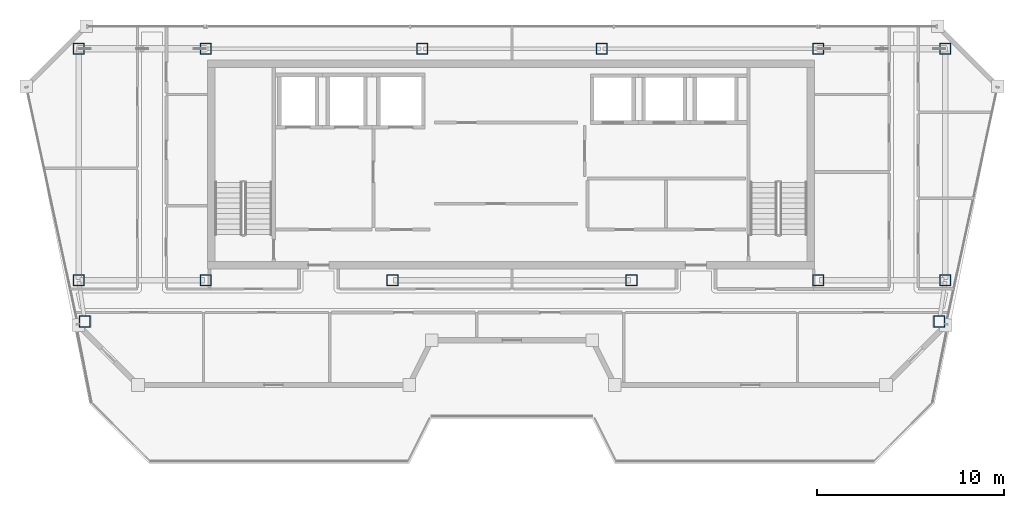
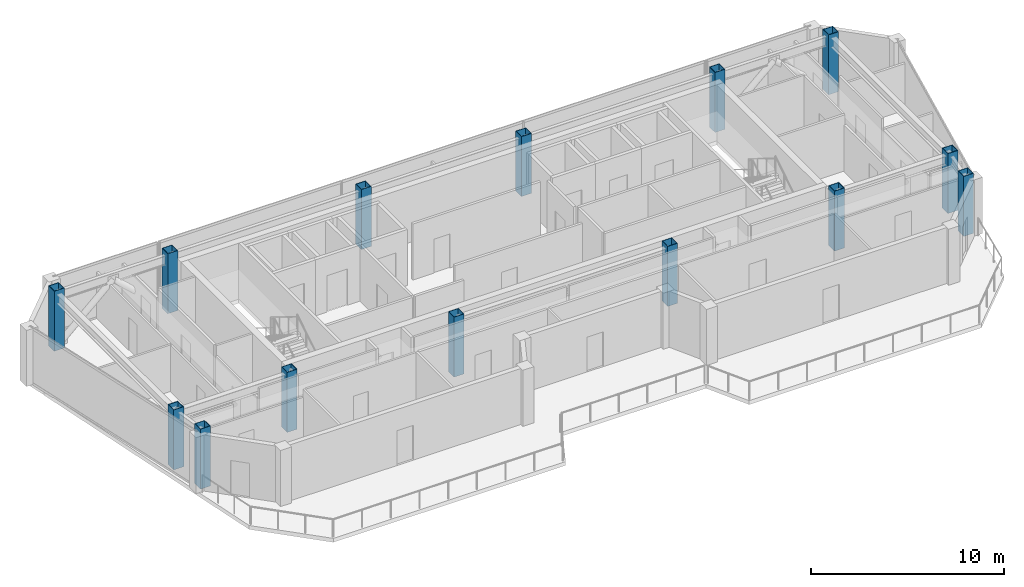
# One storey, part 1 of 17: 14 columns.
"""IFC4 building model written with IfcOpenShell, lengths in metres."""

from ifc_helpers import new_model, si_unit, direction, frame, origin, origin_2d, place, context, subcontext, project, spatial, hollow_rectangle, extrude, material, material_profile, profile_set, type_object, element, save


model = new_model("IFC4")

# Units and contexts
model_context = context("Model", 3, precision=1e-05, world=origin(), true_north=direction((0.0, 1.0)))
body_context = subcontext(model_context, "Body", "Model", "MODEL_VIEW")
ifc_project = project(units=[si_unit("LENGTHUNIT", "METRE"), si_unit("AREAUNIT", "SQUARE_METRE"), si_unit("VOLUMEUNIT", "CUBIC_METRE"), si_unit("PLANEANGLEUNIT", "RADIAN"), si_unit("MASSUNIT", "GRAM", prefix="KILO")], contexts=[model_context])

# Site, building, storey
site_placement = place(None, origin())
site = spatial("IfcSite", under=ifc_project, at=site_placement, CompositionType="ELEMENT")
building_placement = place(site_placement, origin())
building = spatial("IfcBuilding", under=site, at=building_placement, Name="Saevonmaru Cultural Tower", CompositionType="ELEMENT")
storey_placement = place(building_placement, frame((0.0, 0.0, 310.39990234375)))
storey = spatial("IfcBuildingStorey", under=building, at=storey_placement, Name="L74", CompositionType="ELEMENT", Elevation=310.39990234375)

# Columns
ifc_material = material(Name="Steel SM355", Category="steel")
ifc_material_profile = material_profile(ifc_material, hollow_rectangle(XDim=0.60009765625, YDim=0.60009765625, WallThickness=0.028076171875, at=origin_2d()), Name="BOX-600x600x28")
ifc_profile_set = profile_set([ifc_material_profile], Name="Steel SM355")
column_type = type_object("IfcColumnType", Name="COL-BOX-600", PredefinedType="COLUMN", material=ifc_profile_set)
for number, where, z_axis, x_axis, name in (
    (1, (6.800048828125, 54.800048828125, 0.0), (0.0, 0.0, 1.0), (1.0, 0.0, 0.0), "L74 Column TC-N1N"),
    (2, (13.60009765625, 54.800048828125, 0.0), (0.0, 0.0, 1.0), (1.0, 0.0, 0.0), "L74 Column TC-N2N"),
    (3, (25.199951171875, 54.800048828125, 0.0), (0.0, 0.0, 1.0), (1.0, 0.0, 0.0), "L74 Column TC-N3N"),
    (4, (34.800048828125, 54.800048828125, 0.0), (0.0, 0.0, 1.0), (1.0, 0.0, 0.0), "L74 Column TC-N4N"),
    (5, (46.39990234375, 54.800048828125, 0.0), (0.0, 0.0, 1.0), (1.0, 0.0, 0.0), "L74 Column TC-N5N"),
    (6, (53.199951171875, 54.800048828125, 0.0), (0.0, 0.0, 1.0), (1.0, 0.0, 0.0), "L74 Column TC-N6N"),
    (7, (6.800048828125, 42.39990234375, 0.0), (0.0, 0.0, 1.0), (1.0, 0.0, 0.0), "L74 Column TC-S1C"),
    (8, (13.60009765625, 42.39990234375, 0.0), (0.0, 0.0, 1.0), (1.0, 0.0, 0.0), "L74 Column TC-S2C"),
    (9, (23.60009765625, 42.39990234375, 0.0), (0.0, 0.0, 1.0), (1.0, 0.0, 0.0), "L74 Column TC-S3C"),
    (10, (36.39990234375, 42.39990234375, 0.0), (0.0, 0.0, 1.0), (1.0, 0.0, 0.0), "L74 Column TC-S4C"),
    (11, (46.39990234375, 42.39990234375, 0.0), (0.0, 0.0, 1.0), (1.0, 0.0, 0.0), "L74 Column TC-S5C"),
    (12, (53.199951171875, 42.39990234375, 0.0), (0.0, 0.0, 1.0), (1.0, 0.0, 0.0), "L74 Column TC-S6C"),
    (13, (7.132080078125, 40.199951171875, 0.0), (0.0, 0.0, 1.0), (1.0, 0.0, 0.0), "L74 Column TC-WO-Y402"),
    (14, (52.867919921875, 40.199951171875, 0.0), (0.0, 0.0, 1.0), (1.0, 0.0, 0.0), "L74 Column TC-EO-Y402"),
):
    element("IfcColumn", number, at=place(storey_placement, frame(where, z_axis=z_axis, x_axis=x_axis)), inside=storey, type_object=column_type, Name=name, PredefinedType="COLUMN", context=body_context, shape_type="SweptSolid", body=[
        extrude(hollow_rectangle(XDim=0.60009765625, YDim=0.60009765625, WallThickness=0.028076171875, at=origin_2d()), origin(), (0.0, 0.0, 1.0), 3.800048828125),
    ])

save(model, "model.ifc")
